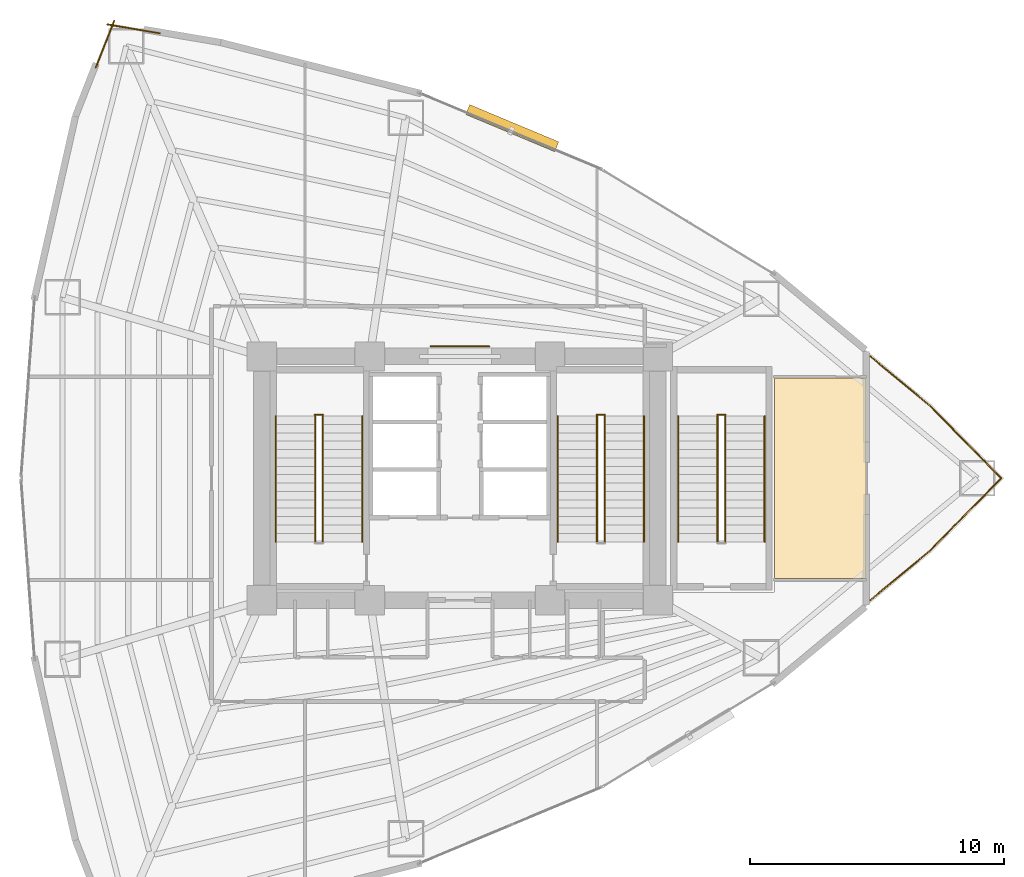
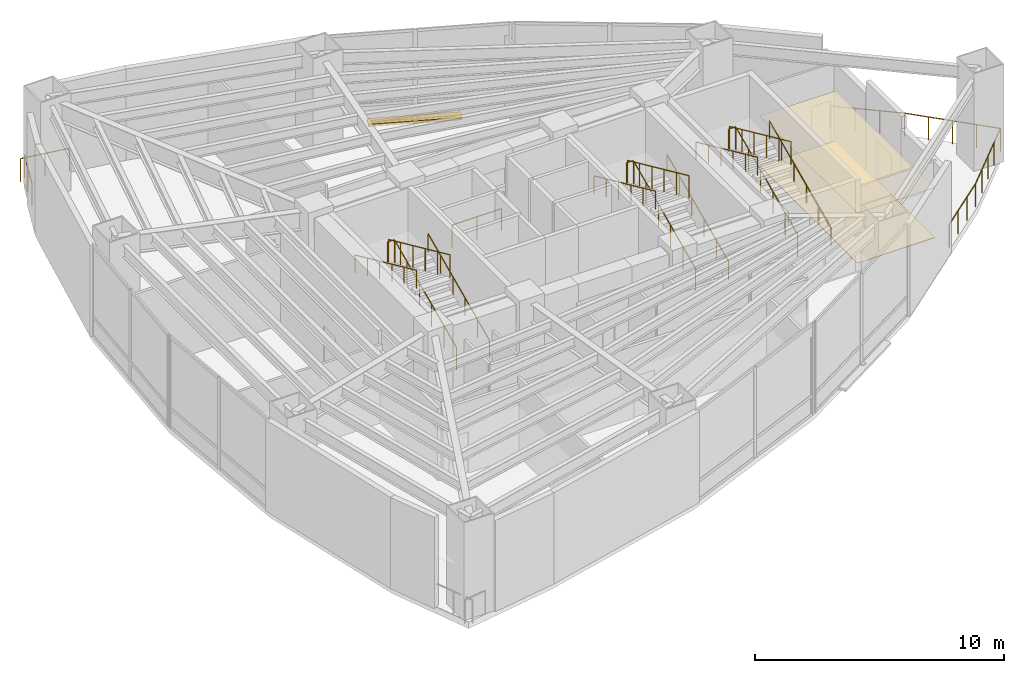
# One storey, part 18 of 18: 22 railings, 2 coverings, 1 shading device.
"""IFC4 building model written with IfcOpenShell, lengths in metres."""

from ifc_helpers import new_model, si_unit, direction, frame, origin, origin_2d, place, context, subcontext, project, spatial, polyline, rectangle, circle, outline, extrude, material, layer, layer_set, type_object, element, save


model = new_model("IFC4")

# Units and contexts
model_context = context("Model", 3, precision=1e-05, world=origin(), true_north=direction((0.0, 1.0)))
body_context = subcontext(model_context, "Body", "Model", "MODEL_VIEW")
ifc_project = project(units=[si_unit("LENGTHUNIT", "METRE"), si_unit("AREAUNIT", "SQUARE_METRE"), si_unit("VOLUMEUNIT", "CUBIC_METRE"), si_unit("PLANEANGLEUNIT", "RADIAN"), si_unit("MASSUNIT", "GRAM", prefix="KILO")], contexts=[model_context])

# Site, building, storey
site_placement = place(None, origin())
site = spatial("IfcSite", under=ifc_project, at=site_placement, CompositionType="ELEMENT")
building_placement = place(site_placement, origin())
building = spatial("IfcBuilding", under=site, at=building_placement, Name="Menara Vayukalpa", CompositionType="ELEMENT")
storey_placement = place(building_placement, frame((0.0, 0.0, 18.0)))
storey = spatial("IfcBuildingStorey", under=building, at=storey_placement, Name="L03", CompositionType="ELEMENT", Elevation=18.0)

# Coverings
ifc_material_1 = material(Name="Mineral Fibre Acoustic Ceiling Tile", Category="masonry")
ifc_layer_1 = layer(ifc_material_1, 0.02490234375)
ifc_layer_set_1 = layer_set([ifc_layer_1], Name="Mineral Fibre Acoustic Ceiling Tile")
covering_type_1 = type_object("IfcCoveringType", Name="COV-CLG1", PredefinedType="CEILING", material=ifc_layer_set_1)
covering_1_placement = place(storey_placement, frame((0.0, 0.0, 2.449951171875)))
element("IfcCovering", 1, at=covering_1_placement, inside=storey, type_object=covering_type_1, Name="L03 Project Collaboration Workplace Acoustic Ceiling", PredefinedType="CEILING", context=body_context, shape_type="SweptSolid", body=[
    extrude(outline(polyline([(41.59912109375, 18.069091796875), (41.59912109375, 18.068115234375), (41.598876953125, 18.067138671875), (41.598388671875, 18.066162109375), (41.597900390625, 18.065185546875), (41.597412109375, 18.064453125), (41.596923828125, 18.063720703125), (41.59619140625, 18.06298828125), (41.595458984375, 18.062255859375), (41.5947265625, 18.061767578125), (41.593994140625, 18.061279296875), (41.593017578125, 18.060791015625), (41.592041015625, 18.060302734375), (41.59130859375, 18.060302734375), (41.590087890625, 18.06005859375), (41.589111328125, 18.06005859375), (38.010009765625, 18.06005859375), (38.009033203125, 18.06005859375), (38.008056640625, 18.060302734375), (38.007080078125, 18.060302734375), (38.006103515625, 18.060791015625), (38.00537109375, 18.061279296875), (38.00439453125, 18.061767578125), (38.003662109375, 18.062255859375), (38.0029296875, 18.06298828125), (38.002197265625, 18.063720703125), (38.001708984375, 18.064453125), (38.001220703125, 18.065185546875), (38.000732421875, 18.066162109375), (38.00048828125, 18.067138671875), (38.000244140625, 18.068115234375), (38.0, 18.069091796875), (38.0, 18.070068359375), (38.0, 25.929931640625), (38.0, 25.930908203125), (38.000244140625, 25.931884765625), (38.00048828125, 25.932861328125), (38.000732421875, 25.933837890625), (38.001220703125, 25.934814453125), (38.001708984375, 25.935546875), (38.002197265625, 25.936279296875), (38.0029296875, 25.93701171875), (38.003662109375, 25.937744140625), (38.00439453125, 25.938232421875), (38.00537109375, 25.938720703125), (38.006103515625, 25.939208984375), (38.007080078125, 25.939697265625), (38.008056640625, 25.939697265625), (38.009033203125, 25.93994140625), (38.010009765625, 25.93994140625), (41.589111328125, 25.93994140625), (41.590087890625, 25.93994140625), (41.59130859375, 25.939697265625), (41.592041015625, 25.939697265625), (41.593017578125, 25.939208984375), (41.593994140625, 25.938720703125), (41.5947265625, 25.938232421875), (41.595458984375, 25.937744140625), (41.59619140625, 25.93701171875), (41.596923828125, 25.936279296875), (41.597412109375, 25.935546875), (41.597900390625, 25.934814453125), (41.598388671875, 25.933837890625), (41.598876953125, 25.932861328125), (41.59912109375, 25.931884765625), (41.59912109375, 25.930908203125), (41.59912109375, 25.929931640625), (41.59912109375, 18.070068359375), (41.59912109375, 18.069091796875)])), origin(), (0.0, 0.0, 1.0), 0.025146484375),
])
ifc_material_2 = material(Name="Porcelain Stoneware Floor Tile", Category="masonry")
ifc_layer_2 = layer(ifc_material_2, 0.02001953125)
ifc_layer_set_2 = layer_set([ifc_layer_2], Name="Porcelain Stoneware Floor Tile")
covering_type_2 = type_object("IfcCoveringType", Name="COV-FLR1", PredefinedType="FLOORING", material=ifc_layer_set_2)
covering_2_placement = place(storey_placement, origin())
element("IfcCovering", 2, at=covering_2_placement, inside=storey, type_object=covering_type_2, Name="L03 Project Collaboration Workplace Porcelain Flooring", PredefinedType="FLOORING", context=body_context, shape_type="SweptSolid", body=[
    extrude(outline(polyline([(41.59912109375, 18.069091796875), (41.59912109375, 18.068115234375), (41.598876953125, 18.067138671875), (41.598388671875, 18.066162109375), (41.597900390625, 18.065185546875), (41.597412109375, 18.064453125), (41.596923828125, 18.063720703125), (41.59619140625, 18.06298828125), (41.595458984375, 18.062255859375), (41.5947265625, 18.061767578125), (41.593994140625, 18.061279296875), (41.593017578125, 18.060791015625), (41.592041015625, 18.060302734375), (41.59130859375, 18.060302734375), (41.590087890625, 18.06005859375), (41.589111328125, 18.06005859375), (38.010009765625, 18.06005859375), (38.009033203125, 18.06005859375), (38.008056640625, 18.060302734375), (38.007080078125, 18.060302734375), (38.006103515625, 18.060791015625), (38.00537109375, 18.061279296875), (38.00439453125, 18.061767578125), (38.003662109375, 18.062255859375), (38.0029296875, 18.06298828125), (38.002197265625, 18.063720703125), (38.001708984375, 18.064453125), (38.001220703125, 18.065185546875), (38.000732421875, 18.066162109375), (38.00048828125, 18.067138671875), (38.000244140625, 18.068115234375), (38.0, 18.069091796875), (38.0, 18.070068359375), (38.0, 25.929931640625), (38.0, 25.930908203125), (38.000244140625, 25.931884765625), (38.00048828125, 25.932861328125), (38.000732421875, 25.933837890625), (38.001220703125, 25.934814453125), (38.001708984375, 25.935546875), (38.002197265625, 25.936279296875), (38.0029296875, 25.93701171875), (38.003662109375, 25.937744140625), (38.00439453125, 25.938232421875), (38.00537109375, 25.938720703125), (38.006103515625, 25.939208984375), (38.007080078125, 25.939697265625), (38.008056640625, 25.939697265625), (38.009033203125, 25.93994140625), (38.010009765625, 25.93994140625), (41.589111328125, 25.93994140625), (41.590087890625, 25.93994140625), (41.59130859375, 25.939697265625), (41.592041015625, 25.939697265625), (41.593017578125, 25.939208984375), (41.593994140625, 25.938720703125), (41.5947265625, 25.938232421875), (41.595458984375, 25.937744140625), (41.59619140625, 25.93701171875), (41.596923828125, 25.936279296875), (41.597412109375, 25.935546875), (41.597900390625, 25.934814453125), (41.598388671875, 25.933837890625), (41.598876953125, 25.932861328125), (41.59912109375, 25.931884765625), (41.59912109375, 25.930908203125), (41.59912109375, 25.929931640625), (41.59912109375, 18.070068359375), (41.59912109375, 18.069091796875)])), origin(), (0.0, 0.0, 1.0), 0.02001953125),
])

# Railings
ifc_material_3 = material(Name="Laminated Glass Interior Balustrade", Category="glass")
railing_type_1 = type_object("IfcRailingType", Name="RLG-BAL110", PredefinedType="BALUSTRADE", material=ifc_material_3)
railing_1_placement = place(storey_placement, frame((24.449951171875, 27.199951171875, 0.0)))
element("IfcRailing", 3, at=railing_1_placement, inside=storey, type_object=railing_type_1, Name="L03 Concourse Feature Glass Balustrade", PredefinedType="BALUSTRADE", context=body_context, shape_type="SweptSolid", body=[
    extrude(circle(Radius=0.02392578125, at=origin_2d()), frame((0.0, 0.0, 1.09619140625), z_axis=(1.0, 0.0, 0.0), x_axis=(0.0, 1.0, 0.0)), (0.0, 0.0, 1.0), 2.300048828125),
    extrude(circle(Radius=0.02099609375, at=origin_2d()), origin(), (0.0, 0.0, 1.0), 1.072021484375),
    extrude(circle(Radius=0.02099609375, at=origin_2d()), frame((1.14990234375, 0.0, 0.0)), (0.0, 0.0, 1.0), 1.072021484375),
    extrude(circle(Radius=0.02099609375, at=origin_2d()), frame((2.300048828125, 0.0, 0.0)), (0.0, 0.0, 1.0), 1.072021484375),
])
ifc_material_4 = material(Name="Laminated Glass and Stainless Steel 316 Guardrail", Category="steel")
railing_type_2 = type_object("IfcRailingType", Name="RLG-EXT115", PredefinedType="GUARDRAIL", material=ifc_material_4)
railing_2_placement = place(storey_placement, frame((44.1162109375, 24.852783203125, 0.0)))
element("IfcRailing", 4, at=railing_2_placement, inside=storey, type_object=railing_type_2, Name="L03 Sky Terrace Perimeter Guardrail 01", PredefinedType="GUARDRAIL", context=body_context, shape_type="SweptSolid", body=[
    extrude(circle(Radius=0.02392578125, at=origin_2d()), frame((0.0, 0.0, 1.1259765625), z_axis=(0.700573119297, -0.713580622297, 0.0), x_axis=(0.713580622297, 0.700573119297, 0.0)), (0.0, 0.0, 1.0), 3.997802734375),
    extrude(circle(Radius=0.02099609375, at=origin_2d()), origin(), (0.0, 0.0, 1.0), 1.101806640625),
    extrude(circle(Radius=0.02099609375, at=origin_2d()), frame((0.7001953125, -0.713134765625, 0.0)), (0.0, 0.0, 1.0), 1.101806640625),
    extrude(circle(Radius=0.02099609375, at=origin_2d()), frame((1.400390625, -1.42626953125, 0.0)), (0.0, 0.0, 1.0), 1.101806640625),
    extrude(circle(Radius=0.02099609375, at=origin_2d()), frame((2.1005859375, -2.1396484375, 0.0)), (0.0, 0.0, 1.0), 1.101806640625),
    extrude(circle(Radius=0.02099609375, at=origin_2d()), frame((2.80078125, -2.852783203125, 0.0)), (0.0, 0.0, 1.0), 1.101806640625),
])
railing_3_placement = place(storey_placement, frame((46.9169921875, 22.0, 0.0)))
element("IfcRailing", 5, at=railing_3_placement, inside=storey, type_object=railing_type_2, Name="L03 Sky Terrace Perimeter Guardrail 02", PredefinedType="GUARDRAIL", context=body_context, shape_type="SweptSolid", body=[
    extrude(circle(Radius=0.02392578125, at=origin_2d()), frame((0.0, 0.0, 1.1259765625), z_axis=(-0.700573119297, -0.713580622297, 0.0), x_axis=(0.713580622297, -0.700573119297, 0.0)), (0.0, 0.0, 1.0), 3.997802734375),
    extrude(circle(Radius=0.02099609375, at=origin_2d()), origin(), (0.0, 0.0, 1.0), 1.101806640625),
    extrude(circle(Radius=0.02099609375, at=origin_2d()), frame((-0.7001953125, -0.713134765625, 0.0)), (0.0, 0.0, 1.0), 1.101806640625),
    extrude(circle(Radius=0.02099609375, at=origin_2d()), frame((-1.400390625, -1.42626953125, 0.0)), (0.0, 0.0, 1.0), 1.101806640625),
    extrude(circle(Radius=0.02099609375, at=origin_2d()), frame((-2.1005859375, -2.1396484375, 0.0)), (0.0, 0.0, 1.0), 1.101806640625),
    extrude(circle(Radius=0.02099609375, at=origin_2d()), frame((-2.80078125, -2.852783203125, 0.0)), (0.0, 0.0, 1.0), 1.101806640625),
])
railing_4_placement = place(storey_placement, frame((44.1162109375, 19.147216796875, 0.0)))
element("IfcRailing", 6, at=railing_4_placement, inside=storey, type_object=railing_type_2, Name="L03 Sky Terrace Perimeter Guardrail 03", PredefinedType="GUARDRAIL", context=body_context, shape_type="SweptSolid", body=[
    extrude(circle(Radius=0.02392578125, at=origin_2d()), frame((0.0, 0.0, 1.1259765625), z_axis=(-0.769709018872, -0.638394882707, 0.0), x_axis=(0.638394882707, -0.769709018872, 0.0)), (0.0, 0.0, 1.0), 3.049072265625),
    extrude(circle(Radius=0.02099609375, at=origin_2d()), origin(), (0.0, 0.0, 1.0), 1.101806640625),
    extrude(circle(Radius=0.02099609375, at=origin_2d()), frame((-0.7822265625, -0.64892578125, 0.0)), (0.0, 0.0, 1.0), 1.101806640625),
    extrude(circle(Radius=0.02099609375, at=origin_2d()), frame((-1.564697265625, -1.297607421875, 0.0)), (0.0, 0.0, 1.0), 1.101806640625),
    extrude(circle(Radius=0.02099609375, at=origin_2d()), frame((-2.346923828125, -1.946533203125, 0.0)), (0.0, 0.0, 1.0), 1.101806640625),
])
railing_5_placement = place(storey_placement, frame((41.769287109375, 26.79931640625, 0.0)))
element("IfcRailing", 7, at=railing_5_placement, inside=storey, type_object=railing_type_2, Name="L03 Sky Terrace Perimeter Guardrail 04", PredefinedType="GUARDRAIL", context=body_context, shape_type="SweptSolid", body=[
    extrude(circle(Radius=0.02392578125, at=origin_2d()), frame((0.0, 0.0, 1.1259765625), z_axis=(0.769709018872, -0.638394882707, 0.0), x_axis=(0.638394882707, 0.769709018872, 0.0)), (0.0, 0.0, 1.0), 3.049072265625),
    extrude(circle(Radius=0.02099609375, at=origin_2d()), origin(), (0.0, 0.0, 1.0), 1.101806640625),
    extrude(circle(Radius=0.02099609375, at=origin_2d()), frame((0.7822265625, -0.64892578125, 0.0)), (0.0, 0.0, 1.0), 1.101806640625),
    extrude(circle(Radius=0.02099609375, at=origin_2d()), frame((1.564697265625, -1.297607421875, 0.0)), (0.0, 0.0, 1.0), 1.101806640625),
    extrude(circle(Radius=0.02099609375, at=origin_2d()), frame((2.346923828125, -1.946533203125, 0.0)), (0.0, 0.0, 1.0), 1.101806640625),
])
railing_6_placement = place(storey_placement, frame((13.78369140625, 39.524658203125, 0.0)))
element("IfcRailing", 8, at=railing_6_placement, inside=storey, type_object=railing_type_2, Name="L03 Column Corner Spandrel Guardrail 06-1", PredefinedType="GUARDRAIL", context=body_context, shape_type="SweptSolid", body=[
    extrude(circle(Radius=0.02392578125, at=origin_2d()), frame((0.0, 0.0, 1.1259765625), z_axis=(-0.985904350491, 0.167309927029, 0.0), x_axis=(-0.167309927029, -0.985904350491, 0.0)), (0.0, 0.0, 1.0), 2.093994140625),
    extrude(circle(Radius=0.02099609375, at=origin_2d()), origin(), (0.0, 0.0, 1.0), 1.101806640625),
    extrude(circle(Radius=0.02099609375, at=origin_2d()), frame((-1.0322265625, 0.17529296875, 0.0)), (0.0, 0.0, 1.0), 1.101806640625),
    extrude(circle(Radius=0.02099609375, at=origin_2d()), frame((-2.064453125, 0.350341796875, 0.0)), (0.0, 0.0, 1.0), 1.101806640625),
])
railing_7_placement = place(storey_placement, frame((11.990478515625, 40.028076171875, 0.0)))
element("IfcRailing", 9, at=railing_7_placement, inside=storey, type_object=railing_type_2, Name="L03 Column Corner Spandrel Guardrail 07-1", PredefinedType="GUARDRAIL", context=body_context, shape_type="SweptSolid", body=[
    extrude(circle(Radius=0.02392578125, at=origin_2d()), frame((0.0, 0.0, 1.1259765625), z_axis=(-0.365580158762, -0.930779859859, 0.0), x_axis=(0.930779859859, -0.365580158762, 0.0)), (0.0, 0.0, 1.0), 1.9873046875),
    extrude(circle(Radius=0.02099609375, at=origin_2d()), origin(), (0.0, 0.0, 1.0), 1.101806640625),
    extrude(circle(Radius=0.02099609375, at=origin_2d()), frame((-0.36328125, -0.9248046875, 0.0)), (0.0, 0.0, 1.0), 1.101806640625),
    extrude(circle(Radius=0.02099609375, at=origin_2d()), frame((-0.7265625, -1.849853515625, 0.0)), (0.0, 0.0, 1.0), 1.101806640625),
])
ifc_material_5 = material(Name="Powder-Coated Galvanised Steel Guardrail", Category="steel")
railing_type_3 = type_object("IfcRailingType", Name="RLG-STG110", PredefinedType="GUARDRAIL", material=ifc_material_5)
railing_8_placement = place(storey_placement, frame((20.199951171875, 19.5, 0.14990234375)))
element("IfcRailing", 10, at=railing_8_placement, inside=storey, type_object=railing_type_3, Name="L03 ST-1 stair guard 1", PredefinedType="GUARDRAIL", context=body_context, shape_type="SweptSolid", body=[
    extrude(circle(Radius=0.02392578125, at=origin_2d()), frame((0.0, 0.0, 1.09619140625), z_axis=(0.0, 0.910364939756, 0.41380632724), x_axis=(-1.0, 0.0, 0.0)), (0.0, 0.0, 1.0), 5.437255859375),
    extrude(circle(Radius=0.02099609375, at=origin_2d()), origin(), (0.0, 0.0, 1.0), 1.072021484375),
    extrude(circle(Radius=0.02099609375, at=origin_2d()), frame((0.0, 0.989990234375, 0.449951171875)), (0.0, 0.0, 1.0), 1.072021484375),
    extrude(circle(Radius=0.02099609375, at=origin_2d()), frame((0.0, 1.97998046875, 0.89990234375)), (0.0, 0.0, 1.0), 1.072021484375),
    extrude(circle(Radius=0.02099609375, at=origin_2d()), frame((0.0, 2.969970703125, 1.35009765625)), (0.0, 0.0, 1.0), 1.072021484375),
    extrude(circle(Radius=0.02099609375, at=origin_2d()), frame((0.0, 3.9599609375, 1.800048828125)), (0.0, 0.0, 1.0), 1.072021484375),
    extrude(circle(Radius=0.02099609375, at=origin_2d()), frame((0.0, 4.949951171875, 2.25)), (0.0, 0.0, 1.0), 1.072021484375),
])
railing_9_placement = place(storey_placement, frame((20.2099609375, 24.5, 2.39990234375)))
element("IfcRailing", 11, at=railing_9_placement, inside=storey, type_object=railing_type_3, Name="L03 ST-1 stair guard 2", PredefinedType="GUARDRAIL", context=body_context, shape_type="SweptSolid", body=[
    extrude(circle(Radius=0.02392578125, at=origin_2d()), frame((0.0, 0.0, 1.09619140625), z_axis=(-1.0, 0.0, 0.0), x_axis=(0.0, -1.0, 0.0)), (0.0, 0.0, 1.0), 0.320068359375),
    extrude(circle(Radius=0.02099609375, at=origin_2d()), origin(), (0.0, 0.0, 1.0), 1.072021484375),
    extrude(circle(Radius=0.02099609375, at=origin_2d()), frame((-0.320068359375, 0.0, 0.0)), (0.0, 0.0, 1.0), 1.072021484375),
])
railing_10_placement = place(storey_placement, frame((19.89990234375, 24.449951171875, 2.550048828125)))
element("IfcRailing", 12, at=railing_10_placement, inside=storey, type_object=railing_type_3, Name="L03 ST-1 stair guard 3", PredefinedType="GUARDRAIL", context=body_context, shape_type="SweptSolid", body=[
    extrude(circle(Radius=0.02392578125, at=origin_2d()), frame((0.0, 0.0, 1.09619140625), z_axis=(0.0, -0.910364939756, 0.41380632724), x_axis=(1.0, 0.0, 0.0)), (0.0, 0.0, 1.0), 5.437255859375),
    extrude(circle(Radius=0.02099609375, at=origin_2d()), origin(), (0.0, 0.0, 1.0), 1.072021484375),
    extrude(circle(Radius=0.02099609375, at=origin_2d()), frame((0.0, -0.989990234375, 0.449951171875)), (0.0, 0.0, 1.0), 1.072021484375),
    extrude(circle(Radius=0.02099609375, at=origin_2d()), frame((0.0, -1.97998046875, 0.89990234375)), (0.0, 0.0, 1.0), 1.072021484375),
    extrude(circle(Radius=0.02099609375, at=origin_2d()), frame((0.0, -2.969970703125, 1.35009765625)), (0.0, 0.0, 1.0), 1.072021484375),
    extrude(circle(Radius=0.02099609375, at=origin_2d()), frame((0.0, -3.9599609375, 1.800048828125)), (0.0, 0.0, 1.0), 1.072021484375),
    extrude(circle(Radius=0.02099609375, at=origin_2d()), frame((0.0, -4.949951171875, 2.25)), (0.0, 0.0, 1.0), 1.072021484375),
])
railing_11_placement = place(storey_placement, frame((31.300048828125, 19.5, 0.14990234375)))
element("IfcRailing", 13, at=railing_11_placement, inside=storey, type_object=railing_type_3, Name="L03 ST-2 stair guard 1", PredefinedType="GUARDRAIL", context=body_context, shape_type="SweptSolid", body=[
    extrude(circle(Radius=0.02392578125, at=origin_2d()), frame((0.0, 0.0, 1.09619140625), z_axis=(0.0, 0.910364939756, 0.41380632724), x_axis=(-1.0, 0.0, 0.0)), (0.0, 0.0, 1.0), 5.437255859375),
    extrude(circle(Radius=0.02099609375, at=origin_2d()), origin(), (0.0, 0.0, 1.0), 1.072021484375),
    extrude(circle(Radius=0.02099609375, at=origin_2d()), frame((0.0, 0.989990234375, 0.449951171875)), (0.0, 0.0, 1.0), 1.072021484375),
    extrude(circle(Radius=0.02099609375, at=origin_2d()), frame((0.0, 1.97998046875, 0.89990234375)), (0.0, 0.0, 1.0), 1.072021484375),
    extrude(circle(Radius=0.02099609375, at=origin_2d()), frame((0.0, 2.969970703125, 1.35009765625)), (0.0, 0.0, 1.0), 1.072021484375),
    extrude(circle(Radius=0.02099609375, at=origin_2d()), frame((0.0, 3.9599609375, 1.800048828125)), (0.0, 0.0, 1.0), 1.072021484375),
    extrude(circle(Radius=0.02099609375, at=origin_2d()), frame((0.0, 4.949951171875, 2.25)), (0.0, 0.0, 1.0), 1.072021484375),
])
railing_12_placement = place(storey_placement, frame((31.31005859375, 24.5, 2.39990234375)))
element("IfcRailing", 14, at=railing_12_placement, inside=storey, type_object=railing_type_3, Name="L03 ST-2 stair guard 2", PredefinedType="GUARDRAIL", context=body_context, shape_type="SweptSolid", body=[
    extrude(circle(Radius=0.02392578125, at=origin_2d()), frame((0.0, 0.0, 1.09619140625), z_axis=(-1.0, 0.0, 0.0), x_axis=(0.0, -1.0, 0.0)), (0.0, 0.0, 1.0), 0.320068359375),
    extrude(circle(Radius=0.02099609375, at=origin_2d()), origin(), (0.0, 0.0, 1.0), 1.072021484375),
    extrude(circle(Radius=0.02099609375, at=origin_2d()), frame((-0.320068359375, 0.0, 0.0)), (0.0, 0.0, 1.0), 1.072021484375),
])
railing_13_placement = place(storey_placement, frame((31.0, 24.449951171875, 2.550048828125)))
element("IfcRailing", 15, at=railing_13_placement, inside=storey, type_object=railing_type_3, Name="L03 ST-2 stair guard 3", PredefinedType="GUARDRAIL", context=body_context, shape_type="SweptSolid", body=[
    extrude(circle(Radius=0.02392578125, at=origin_2d()), frame((0.0, 0.0, 1.09619140625), z_axis=(0.0, -0.910364939756, 0.41380632724), x_axis=(1.0, 0.0, 0.0)), (0.0, 0.0, 1.0), 5.437255859375),
    extrude(circle(Radius=0.02099609375, at=origin_2d()), origin(), (0.0, 0.0, 1.0), 1.072021484375),
    extrude(circle(Radius=0.02099609375, at=origin_2d()), frame((0.0, -0.989990234375, 0.449951171875)), (0.0, 0.0, 1.0), 1.072021484375),
    extrude(circle(Radius=0.02099609375, at=origin_2d()), frame((0.0, -1.97998046875, 0.89990234375)), (0.0, 0.0, 1.0), 1.072021484375),
    extrude(circle(Radius=0.02099609375, at=origin_2d()), frame((0.0, -2.969970703125, 1.35009765625)), (0.0, 0.0, 1.0), 1.072021484375),
    extrude(circle(Radius=0.02099609375, at=origin_2d()), frame((0.0, -3.9599609375, 1.800048828125)), (0.0, 0.0, 1.0), 1.072021484375),
    extrude(circle(Radius=0.02099609375, at=origin_2d()), frame((0.0, -4.949951171875, 2.25)), (0.0, 0.0, 1.0), 1.072021484375),
])
railing_14_placement = place(storey_placement, frame((36.050048828125, 19.5, 0.14990234375)))
element("IfcRailing", 16, at=railing_14_placement, inside=storey, type_object=railing_type_3, Name="L03 ST-3 stair guard 1", PredefinedType="GUARDRAIL", context=body_context, shape_type="SweptSolid", body=[
    extrude(circle(Radius=0.02392578125, at=origin_2d()), frame((0.0, 0.0, 1.09619140625), z_axis=(0.0, 0.910364939756, 0.41380632724), x_axis=(-1.0, 0.0, 0.0)), (0.0, 0.0, 1.0), 5.437255859375),
    extrude(circle(Radius=0.02099609375, at=origin_2d()), origin(), (0.0, 0.0, 1.0), 1.072021484375),
    extrude(circle(Radius=0.02099609375, at=origin_2d()), frame((0.0, 0.989990234375, 0.449951171875)), (0.0, 0.0, 1.0), 1.072021484375),
    extrude(circle(Radius=0.02099609375, at=origin_2d()), frame((0.0, 1.97998046875, 0.89990234375)), (0.0, 0.0, 1.0), 1.072021484375),
    extrude(circle(Radius=0.02099609375, at=origin_2d()), frame((0.0, 2.969970703125, 1.35009765625)), (0.0, 0.0, 1.0), 1.072021484375),
    extrude(circle(Radius=0.02099609375, at=origin_2d()), frame((0.0, 3.9599609375, 1.800048828125)), (0.0, 0.0, 1.0), 1.072021484375),
    extrude(circle(Radius=0.02099609375, at=origin_2d()), frame((0.0, 4.949951171875, 2.25)), (0.0, 0.0, 1.0), 1.072021484375),
])
railing_15_placement = place(storey_placement, frame((36.06005859375, 24.5, 2.39990234375)))
element("IfcRailing", 17, at=railing_15_placement, inside=storey, type_object=railing_type_3, Name="L03 ST-3 stair guard 2", PredefinedType="GUARDRAIL", context=body_context, shape_type="SweptSolid", body=[
    extrude(circle(Radius=0.02392578125, at=origin_2d()), frame((0.0, 0.0, 1.09619140625), z_axis=(-1.0, 0.0, 0.0), x_axis=(0.0, -1.0, 0.0)), (0.0, 0.0, 1.0), 0.320068359375),
    extrude(circle(Radius=0.02099609375, at=origin_2d()), origin(), (0.0, 0.0, 1.0), 1.072021484375),
    extrude(circle(Radius=0.02099609375, at=origin_2d()), frame((-0.320068359375, 0.0, 0.0)), (0.0, 0.0, 1.0), 1.072021484375),
])
railing_16_placement = place(storey_placement, frame((35.75, 24.449951171875, 2.550048828125)))
element("IfcRailing", 18, at=railing_16_placement, inside=storey, type_object=railing_type_3, Name="L03 ST-3 stair guard 3", PredefinedType="GUARDRAIL", context=body_context, shape_type="SweptSolid", body=[
    extrude(circle(Radius=0.02392578125, at=origin_2d()), frame((0.0, 0.0, 1.09619140625), z_axis=(0.0, -0.910364939756, 0.41380632724), x_axis=(1.0, 0.0, 0.0)), (0.0, 0.0, 1.0), 5.437255859375),
    extrude(circle(Radius=0.02099609375, at=origin_2d()), origin(), (0.0, 0.0, 1.0), 1.072021484375),
    extrude(circle(Radius=0.02099609375, at=origin_2d()), frame((0.0, -0.989990234375, 0.449951171875)), (0.0, 0.0, 1.0), 1.072021484375),
    extrude(circle(Radius=0.02099609375, at=origin_2d()), frame((0.0, -1.97998046875, 0.89990234375)), (0.0, 0.0, 1.0), 1.072021484375),
    extrude(circle(Radius=0.02099609375, at=origin_2d()), frame((0.0, -2.969970703125, 1.35009765625)), (0.0, 0.0, 1.0), 1.072021484375),
    extrude(circle(Radius=0.02099609375, at=origin_2d()), frame((0.0, -3.9599609375, 1.800048828125)), (0.0, 0.0, 1.0), 1.072021484375),
    extrude(circle(Radius=0.02099609375, at=origin_2d()), frame((0.0, -4.949951171875, 2.25)), (0.0, 0.0, 1.0), 1.072021484375),
])
ifc_material_6 = material(Name="Stainless Steel 316 Tubular Handrail", Category="steel")
railing_type_4 = type_object("IfcRailingType", Name="RLG-STH090", PredefinedType="HANDRAIL", material=ifc_material_6)
railing_17_placement = place(storey_placement, frame((21.75, 19.5, 0.14990234375)))
element("IfcRailing", 19, at=railing_17_placement, inside=storey, type_object=railing_type_4, Name="L03 ST-1 stair handrail 1", PredefinedType="HANDRAIL", context=body_context, shape_type="SweptSolid", body=[
    extrude(circle(Radius=0.02392578125, at=origin_2d()), frame((0.0, 0.0, 0.8759765625), z_axis=(0.0, 0.910364939756, 0.41380632724), x_axis=(-1.0, 0.0, 0.0)), (0.0, 0.0, 1.0), 5.437255859375),
    extrude(circle(Radius=0.02099609375, at=origin_2d()), origin(), (0.0, 0.0, 1.0), 0.851806640625),
    extrude(circle(Radius=0.02099609375, at=origin_2d()), frame((0.0, 0.989990234375, 0.449951171875)), (0.0, 0.0, 1.0), 0.851806640625),
    extrude(circle(Radius=0.02099609375, at=origin_2d()), frame((0.0, 1.97998046875, 0.89990234375)), (0.0, 0.0, 1.0), 0.851806640625),
    extrude(circle(Radius=0.02099609375, at=origin_2d()), frame((0.0, 2.969970703125, 1.35009765625)), (0.0, 0.0, 1.0), 0.851806640625),
    extrude(circle(Radius=0.02099609375, at=origin_2d()), frame((0.0, 3.9599609375, 1.800048828125)), (0.0, 0.0, 1.0), 0.851806640625),
    extrude(circle(Radius=0.02099609375, at=origin_2d()), frame((0.0, 4.949951171875, 2.25)), (0.0, 0.0, 1.0), 0.851806640625),
])
railing_18_placement = place(storey_placement, frame((18.35009765625, 24.449951171875, 2.550048828125)))
element("IfcRailing", 20, at=railing_18_placement, inside=storey, type_object=railing_type_4, Name="L03 ST-1 stair handrail 2", PredefinedType="HANDRAIL", context=body_context, shape_type="SweptSolid", body=[
    extrude(circle(Radius=0.02392578125, at=origin_2d()), frame((0.0, 0.0, 0.8759765625), z_axis=(0.0, -0.910364939756, 0.41380632724), x_axis=(1.0, 0.0, 0.0)), (0.0, 0.0, 1.0), 5.437255859375),
    extrude(circle(Radius=0.02099609375, at=origin_2d()), origin(), (0.0, 0.0, 1.0), 0.851806640625),
    extrude(circle(Radius=0.02099609375, at=origin_2d()), frame((0.0, -0.989990234375, 0.449951171875)), (0.0, 0.0, 1.0), 0.851806640625),
    extrude(circle(Radius=0.02099609375, at=origin_2d()), frame((0.0, -1.97998046875, 0.89990234375)), (0.0, 0.0, 1.0), 0.851806640625),
    extrude(circle(Radius=0.02099609375, at=origin_2d()), frame((0.0, -2.969970703125, 1.35009765625)), (0.0, 0.0, 1.0), 0.851806640625),
    extrude(circle(Radius=0.02099609375, at=origin_2d()), frame((0.0, -3.9599609375, 1.800048828125)), (0.0, 0.0, 1.0), 0.851806640625),
    extrude(circle(Radius=0.02099609375, at=origin_2d()), frame((0.0, -4.949951171875, 2.25)), (0.0, 0.0, 1.0), 0.851806640625),
])
railing_19_placement = place(storey_placement, frame((32.85009765625, 19.5, 0.14990234375)))
element("IfcRailing", 21, at=railing_19_placement, inside=storey, type_object=railing_type_4, Name="L03 ST-2 stair handrail 1", PredefinedType="HANDRAIL", context=body_context, shape_type="SweptSolid", body=[
    extrude(circle(Radius=0.02392578125, at=origin_2d()), frame((0.0, 0.0, 0.8759765625), z_axis=(0.0, 0.910364939756, 0.41380632724), x_axis=(-1.0, 0.0, 0.0)), (0.0, 0.0, 1.0), 5.437255859375),
    extrude(circle(Radius=0.02099609375, at=origin_2d()), origin(), (0.0, 0.0, 1.0), 0.851806640625),
    extrude(circle(Radius=0.02099609375, at=origin_2d()), frame((0.0, 0.989990234375, 0.449951171875)), (0.0, 0.0, 1.0), 0.851806640625),
    extrude(circle(Radius=0.02099609375, at=origin_2d()), frame((0.0, 1.97998046875, 0.89990234375)), (0.0, 0.0, 1.0), 0.851806640625),
    extrude(circle(Radius=0.02099609375, at=origin_2d()), frame((0.0, 2.969970703125, 1.35009765625)), (0.0, 0.0, 1.0), 0.851806640625),
    extrude(circle(Radius=0.02099609375, at=origin_2d()), frame((0.0, 3.9599609375, 1.800048828125)), (0.0, 0.0, 1.0), 0.851806640625),
    extrude(circle(Radius=0.02099609375, at=origin_2d()), frame((0.0, 4.949951171875, 2.25)), (0.0, 0.0, 1.0), 0.851806640625),
])
railing_20_placement = place(storey_placement, frame((29.449951171875, 24.449951171875, 2.550048828125)))
element("IfcRailing", 22, at=railing_20_placement, inside=storey, type_object=railing_type_4, Name="L03 ST-2 stair handrail 2", PredefinedType="HANDRAIL", context=body_context, shape_type="SweptSolid", body=[
    extrude(circle(Radius=0.02392578125, at=origin_2d()), frame((0.0, 0.0, 0.8759765625), z_axis=(0.0, -0.910364939756, 0.41380632724), x_axis=(1.0, 0.0, 0.0)), (0.0, 0.0, 1.0), 5.437255859375),
    extrude(circle(Radius=0.02099609375, at=origin_2d()), origin(), (0.0, 0.0, 1.0), 0.851806640625),
    extrude(circle(Radius=0.02099609375, at=origin_2d()), frame((0.0, -0.989990234375, 0.449951171875)), (0.0, 0.0, 1.0), 0.851806640625),
    extrude(circle(Radius=0.02099609375, at=origin_2d()), frame((0.0, -1.97998046875, 0.89990234375)), (0.0, 0.0, 1.0), 0.851806640625),
    extrude(circle(Radius=0.02099609375, at=origin_2d()), frame((0.0, -2.969970703125, 1.35009765625)), (0.0, 0.0, 1.0), 0.851806640625),
    extrude(circle(Radius=0.02099609375, at=origin_2d()), frame((0.0, -3.9599609375, 1.800048828125)), (0.0, 0.0, 1.0), 0.851806640625),
    extrude(circle(Radius=0.02099609375, at=origin_2d()), frame((0.0, -4.949951171875, 2.25)), (0.0, 0.0, 1.0), 0.851806640625),
])
railing_21_placement = place(storey_placement, frame((37.60009765625, 19.5, 0.14990234375)))
element("IfcRailing", 23, at=railing_21_placement, inside=storey, type_object=railing_type_4, Name="L03 ST-3 stair handrail 1", PredefinedType="HANDRAIL", context=body_context, shape_type="SweptSolid", body=[
    extrude(circle(Radius=0.02392578125, at=origin_2d()), frame((0.0, 0.0, 0.8759765625), z_axis=(0.0, 0.910364939756, 0.41380632724), x_axis=(-1.0, 0.0, 0.0)), (0.0, 0.0, 1.0), 5.437255859375),
    extrude(circle(Radius=0.02099609375, at=origin_2d()), origin(), (0.0, 0.0, 1.0), 0.851806640625),
    extrude(circle(Radius=0.02099609375, at=origin_2d()), frame((0.0, 0.989990234375, 0.449951171875)), (0.0, 0.0, 1.0), 0.851806640625),
    extrude(circle(Radius=0.02099609375, at=origin_2d()), frame((0.0, 1.97998046875, 0.89990234375)), (0.0, 0.0, 1.0), 0.851806640625),
    extrude(circle(Radius=0.02099609375, at=origin_2d()), frame((0.0, 2.969970703125, 1.35009765625)), (0.0, 0.0, 1.0), 0.851806640625),
    extrude(circle(Radius=0.02099609375, at=origin_2d()), frame((0.0, 3.9599609375, 1.800048828125)), (0.0, 0.0, 1.0), 0.851806640625),
    extrude(circle(Radius=0.02099609375, at=origin_2d()), frame((0.0, 4.949951171875, 2.25)), (0.0, 0.0, 1.0), 0.851806640625),
])
railing_22_placement = place(storey_placement, frame((34.199951171875, 24.449951171875, 2.550048828125)))
element("IfcRailing", 24, at=railing_22_placement, inside=storey, type_object=railing_type_4, Name="L03 ST-3 stair handrail 2", PredefinedType="HANDRAIL", context=body_context, shape_type="SweptSolid", body=[
    extrude(circle(Radius=0.02392578125, at=origin_2d()), frame((0.0, 0.0, 0.8759765625), z_axis=(0.0, -0.910364939756, 0.41380632724), x_axis=(1.0, 0.0, 0.0)), (0.0, 0.0, 1.0), 5.437255859375),
    extrude(circle(Radius=0.02099609375, at=origin_2d()), origin(), (0.0, 0.0, 1.0), 0.851806640625),
    extrude(circle(Radius=0.02099609375, at=origin_2d()), frame((0.0, -0.989990234375, 0.449951171875)), (0.0, 0.0, 1.0), 0.851806640625),
    extrude(circle(Radius=0.02099609375, at=origin_2d()), frame((0.0, -1.97998046875, 0.89990234375)), (0.0, 0.0, 1.0), 0.851806640625),
    extrude(circle(Radius=0.02099609375, at=origin_2d()), frame((0.0, -2.969970703125, 1.35009765625)), (0.0, 0.0, 1.0), 0.851806640625),
    extrude(circle(Radius=0.02099609375, at=origin_2d()), frame((0.0, -3.9599609375, 1.800048828125)), (0.0, 0.0, 1.0), 0.851806640625),
    extrude(circle(Radius=0.02099609375, at=origin_2d()), frame((0.0, -4.949951171875, 2.25)), (0.0, 0.0, 1.0), 0.851806640625),
])

# Shading device
ifc_material_7 = material(Name="Glazed Terracotta Ceramic Baguette Extrusion", Category="masonry")
ifc_layer_3 = layer(ifc_material_7, 0.1201171875)
ifc_layer_set_3 = layer_set([ifc_layer_3], Name="Glazed Terracotta Ceramic Baguette Extrusion")
shading_device_type = type_object("IfcShadingDeviceType", Name="SHD-SS1", PredefinedType="USERDEFINED", material=ifc_layer_set_3)
shading_device_placement = place(storey_placement, frame((27.662109375, 35.789306640625, -0.10009765625), z_axis=(0.0, 0.0, 1.0), x_axis=(-0.922544824647, 0.385889940938, 0.0)))
element("IfcShadingDevice", 25, at=shading_device_placement, inside=storey, type_object=shading_device_type, Name="L03 Horizontal Terracotta Sunshade Band 05", ObjectType="SUNSHADE", PredefinedType="USERDEFINED", context=body_context, shape_type="SweptSolid", body=[
    extrude(rectangle(XDim=3.800048828125, YDim=0.419921875, at=origin_2d()), origin(), (0.0, 0.0, 1.0), 0.1201171875),
])

save(model, "model.ifc")
